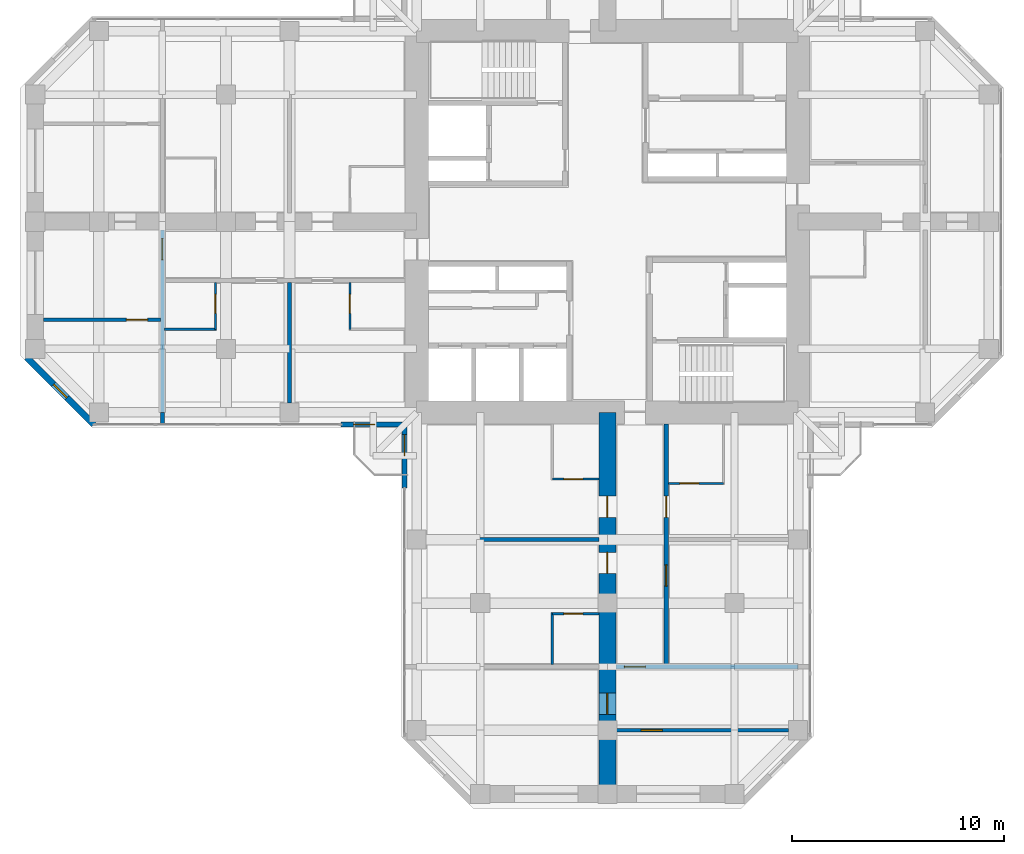
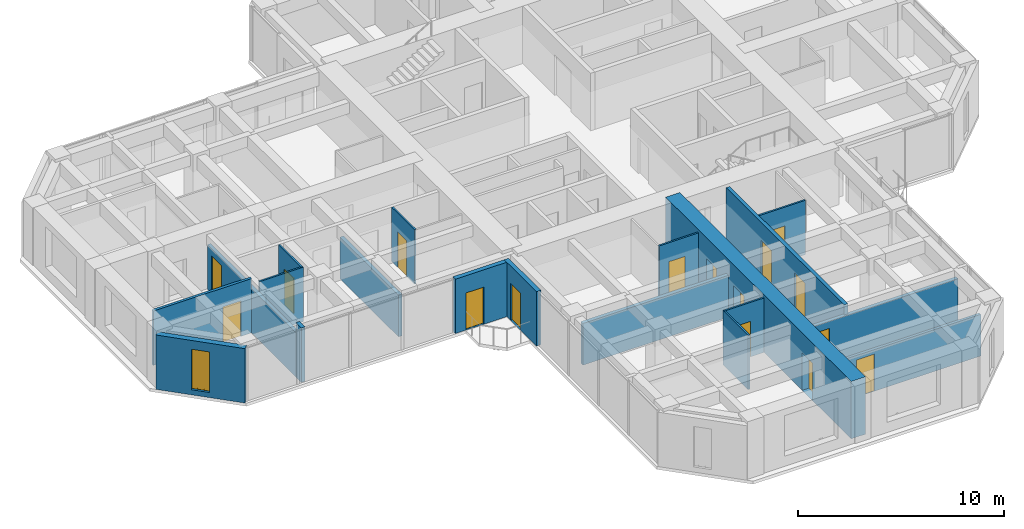
# One storey, part 8 of 13: 19 walls, 16 doors, 1 window, 17 openings.
"""IFC4 building model written with IfcOpenShell, lengths in metres."""

from ifc_helpers import new_model, si_unit, direction, frame, frame_2d, origin, place, context, subcontext, project, spatial, rectangle, hollow_rectangle, extrude, material, layer, layer_set, constituent, constituent_set, type_object, element, fill, save


model = new_model("IFC4")

# Units and contexts
model_context = context("Model", 3, precision=1e-05, world=origin(), true_north=direction((0.0, 1.0)))
body_context = subcontext(model_context, "Body", "Model", "MODEL_VIEW")
ifc_project = project(units=[si_unit("LENGTHUNIT", "METRE"), si_unit("AREAUNIT", "SQUARE_METRE"), si_unit("VOLUMEUNIT", "CUBIC_METRE"), si_unit("PLANEANGLEUNIT", "RADIAN"), si_unit("MASSUNIT", "GRAM", prefix="KILO")], contexts=[model_context])

# Site, building, storey
site_placement = place(None, origin())
site = spatial("IfcSite", under=ifc_project, at=site_placement, CompositionType="ELEMENT")
building_placement = place(site_placement, origin())
building = spatial("IfcBuilding", under=site, at=building_placement, Name="Torre Cruceta", CompositionType="ELEMENT")
storey_placement = place(building_placement, frame((0.0, 0.0, 193.300048828125)))
storey = spatial("IfcBuildingStorey", under=building, at=storey_placement, Name="L48", CompositionType="ELEMENT", Elevation=193.300048828125)

# Wall, opening, door
ifc_material_1 = material(Name="Water-resistant plasterboard on steel studs", Category="steel")
ifc_layer_1 = layer(ifc_material_1, 0.10009765625)
ifc_layer_set_1 = layer_set([ifc_layer_1], Name="Water-resistant plasterboard on steel studs")
wall_type_1 = type_object("IfcWallType", Name="BATHROOM WALL 100", PredefinedType="PARTITIONING", material=ifc_layer_set_1)
wall_1_placement = place(storey_placement, frame((2.875, -12.35009765625, 0.0), z_axis=(0.0, 0.0, 1.0), x_axis=(1.0, 0.0, 0.0)))
wall_1 = element("IfcWall", 1, at=wall_1_placement, inside=storey, type_object=wall_type_1, Name="PT4 L48-S-U1LBS", PredefinedType="PARTITIONING", context=body_context, shape_type="SweptSolid", body=[
    extrude(rectangle(XDim=2.60009765625, YDim=0.10009765625, at=frame_2d((1.300048828125, 0.0))), origin(), (0.0, 0.0, 1.0), 3.219970703125),
])
opening_1_placement = place(wall_1_placement, frame((0.550048828125, 0.0, 0.0)))
opening_1 = element("IfcOpeningElement", 2, at=opening_1_placement, cuts=wall_1, Name="Opening D7", PredefinedType="OPENING", context=body_context, shape_type="SweptSolid", body=[
    extrude(rectangle(XDim=0.89990234375, YDim=2.10009765625, at=frame_2d((0.449951171875, 1.050048828125))), frame((0.0, 0.06005859375, 0.0), z_axis=(0.0, -1.0, 0.0), x_axis=(1.0, 0.0, 0.0)), (0.0, 0.0, 1.0), 0.1201171875),
])
ifc_material_2 = material(Name="Timber door", Category="wood")
door_type_1 = type_object("IfcDoorType", Name="BATHROOM DOOR 900X2100", OperationType="SINGLE_SWING_LEFT", PredefinedType="DOOR", material=ifc_material_2)
door_1_placement = place(opening_1_placement, origin())
door_1 = element("IfcDoor", 3, at=door_1_placement, inside=storey, type_object=door_type_1, Name="D7 L48-S-U1LBS-D1", OperationType="SINGLE_SWING_LEFT", OverallHeight=2.10009765625, OverallWidth=0.89990234375, PredefinedType="DOOR", context=body_context, shape_type="SweptSolid", body=[
    extrude(rectangle(XDim=0.89990234375, YDim=2.10009765625, at=frame_2d((0.449951171875, 1.050048828125))), frame((0.0, 0.02490234375, 0.0), z_axis=(0.0, -1.0, 0.0), x_axis=(1.0, 0.0, 0.0)), (0.0, 0.0, 1.0), 0.050048828125),
])
fill(opening_1, door_1)

wall_2_placement = place(storey_placement, frame((-2.60009765625, -12.14990234375, 0.0), z_axis=(0.0, 0.0, 1.0), x_axis=(1.0, 0.0, 0.0)))
wall_2 = element("IfcWall", 4, at=wall_2_placement, inside=storey, type_object=wall_type_1, Name="PT4 L48-S-U1RBS", PredefinedType="PARTITIONING", context=body_context, shape_type="SweptSolid", body=[
    extrude(rectangle(XDim=2.2001953125, YDim=0.10009765625, at=frame_2d((1.10009765625, 0.0))), origin(), (0.0, 0.0, 1.0), 3.219970703125),
])
opening_2_placement = place(wall_2_placement, frame((0.550048828125, 0.0, 0.0)))
opening_2 = element("IfcOpeningElement", 5, at=opening_2_placement, cuts=wall_2, Name="Opening D7", PredefinedType="OPENING", context=body_context, shape_type="SweptSolid", body=[
    extrude(rectangle(XDim=0.89990234375, YDim=2.10009765625, at=frame_2d((0.449951171875, 1.050048828125))), frame((0.0, 0.06005859375, 0.0), z_axis=(0.0, -1.0, 0.0), x_axis=(1.0, 0.0, 0.0)), (0.0, 0.0, 1.0), 0.1201171875),
])
door_2_placement = place(opening_2_placement, origin())
door_2 = element("IfcDoor", 6, at=door_2_placement, inside=storey, type_object=door_type_1, Name="D7 L48-S-U1RBS-D1", OperationType="SINGLE_SWING_LEFT", OverallHeight=2.10009765625, OverallWidth=0.89990234375, PredefinedType="DOOR", context=body_context, shape_type="SweptSolid", body=[
    extrude(rectangle(XDim=0.89990234375, YDim=2.10009765625, at=frame_2d((0.449951171875, 1.050048828125))), frame((0.0, 0.02490234375, 0.0), z_axis=(0.0, -1.0, 0.0), x_axis=(1.0, 0.0, 0.0)), (0.0, 0.0, 1.0), 0.050048828125),
])
fill(opening_2, door_2)

# Wall
wall_3_placement = place(storey_placement, frame((-2.60009765625, -18.449951171875, 0.0), z_axis=(0.0, 0.0, 1.0), x_axis=(0.0, -1.0, 0.0)))
element("IfcWall", 7, at=wall_3_placement, inside=storey, type_object=wall_type_1, Name="PT4 L48-S-U2RBB", PredefinedType="PARTITIONING", context=body_context, shape_type="SweptSolid", body=[
    extrude(rectangle(XDim=2.449951171875, YDim=0.10009765625, at=frame_2d((1.22509765625, 0.0))), origin(), (0.0, 0.0, 1.0), 3.219970703125),
])

# Wall, opening, door
wall_4_placement = place(storey_placement, frame((-2.60009765625, -18.5, 0.0), z_axis=(0.0, 0.0, 1.0), x_axis=(1.0, 0.0, 0.0)))
wall_4 = element("IfcWall", 8, at=wall_4_placement, inside=storey, type_object=wall_type_1, Name="PT4 L48-S-U2RBS", PredefinedType="PARTITIONING", context=body_context, shape_type="SweptSolid", body=[
    extrude(rectangle(XDim=2.2001953125, YDim=0.10009765625, at=frame_2d((1.10009765625, 0.0))), origin(), (0.0, 0.0, 1.0), 3.219970703125),
])
opening_3_placement = place(wall_4_placement, frame((0.550048828125, 0.0, 0.0)))
opening_3 = element("IfcOpeningElement", 9, at=opening_3_placement, cuts=wall_4, Name="Opening D7", PredefinedType="OPENING", context=body_context, shape_type="SweptSolid", body=[
    extrude(rectangle(XDim=0.89990234375, YDim=2.10009765625, at=frame_2d((0.449951171875, 1.050048828125))), frame((0.0, 0.06005859375, 0.0), z_axis=(0.0, -1.0, 0.0), x_axis=(1.0, 0.0, 0.0)), (0.0, 0.0, 1.0), 0.1201171875),
])
door_3_placement = place(opening_3_placement, frame((0.89990234375, 0.0, 0.0), z_axis=(0.0, 0.0, 1.0), x_axis=(-1.0, 0.0, 0.0)))
door_3 = element("IfcDoor", 10, at=door_3_placement, inside=storey, type_object=door_type_1, Name="D7 L48-S-U2RBS-D1", OperationType="SINGLE_SWING_RIGHT", OverallHeight=2.10009765625, OverallWidth=0.89990234375, PredefinedType="DOOR", context=body_context, shape_type="SweptSolid", body=[
    extrude(rectangle(XDim=0.89990234375, YDim=2.10009765625, at=frame_2d((0.449951171875, 1.050048828125))), frame((0.0, 0.025146484375, 0.0), z_axis=(0.0, -1.0, 0.0), x_axis=(1.0, 0.0, 0.0)), (0.0, 0.0, 1.0), 0.050048828125),
])
fill(opening_3, door_3)

wall_5_placement = place(storey_placement, frame((-12.14990234375, -2.875, 0.0), z_axis=(0.0, 0.0, 1.0), x_axis=(0.0, -1.0, 0.0)))
wall_5 = element("IfcWall", 11, at=wall_5_placement, inside=storey, type_object=wall_type_1, Name="PT4 L48-W-U1LBS", PredefinedType="PARTITIONING", context=body_context, shape_type="SweptSolid", body=[
    extrude(rectangle(XDim=2.199951171875, YDim=0.10009765625, at=frame_2d((1.10009765625, 0.0))), origin(), (0.0, 0.0, 1.0), 3.219970703125),
])
opening_4_placement = place(wall_5_placement, frame((0.550048828125, 0.0, 0.0)))
opening_4 = element("IfcOpeningElement", 12, at=opening_4_placement, cuts=wall_5, Name="Opening D7", PredefinedType="OPENING", context=body_context, shape_type="SweptSolid", body=[
    extrude(rectangle(XDim=0.89990234375, YDim=2.10009765625, at=frame_2d((0.449951171875, 1.050048828125))), frame((0.0, 0.06005859375, 0.0), z_axis=(0.0, -1.0, 0.0), x_axis=(1.0, 0.0, 0.0)), (0.0, 0.0, 1.0), 0.1201171875),
])
door_4_placement = place(opening_4_placement, origin())
door_4 = element("IfcDoor", 13, at=door_4_placement, inside=storey, type_object=door_type_1, Name="D7 L48-W-U1LBS-D1", OperationType="SINGLE_SWING_LEFT", OverallHeight=2.10009765625, OverallWidth=0.89990234375, PredefinedType="DOOR", context=body_context, shape_type="SweptSolid", body=[
    extrude(rectangle(XDim=0.89990234375, YDim=2.10009765625, at=frame_2d((0.449951171875, 1.050048828125))), frame((0.0, 0.02490234375, 0.0), z_axis=(0.0, -1.0, 0.0), x_axis=(1.0, 0.0, 0.0)), (0.0, 0.0, 1.0), 0.050048828125),
])
fill(opening_4, door_4)

# Wall
wall_6_placement = place(storey_placement, frame((-18.449951171875, -5.074951171875, 0.0), z_axis=(0.0, 0.0, 1.0), x_axis=(-1.0, 0.0, 0.0)))
element("IfcWall", 14, at=wall_6_placement, inside=storey, type_object=wall_type_1, Name="PT4 L48-W-U2LBB", PredefinedType="PARTITIONING", context=body_context, shape_type="SweptSolid", body=[
    extrude(rectangle(XDim=2.449951171875, YDim=0.10009765625, at=frame_2d((1.22509765625, 0.0))), origin(), (0.0, 0.0, 1.0), 3.219970703125),
])

# Wall, opening, door
wall_7_placement = place(storey_placement, frame((-18.5, -2.875, 0.0), z_axis=(0.0, 0.0, 1.0), x_axis=(0.0, -1.0, 0.0)))
wall_7 = element("IfcWall", 15, at=wall_7_placement, inside=storey, type_object=wall_type_1, Name="PT4 L48-W-U2LBS", PredefinedType="PARTITIONING", context=body_context, shape_type="SweptSolid", body=[
    extrude(rectangle(XDim=2.199951171875, YDim=0.10009765625, at=frame_2d((1.10009765625, 0.0))), origin(), (0.0, 0.0, 1.0), 3.219970703125),
])
opening_5_placement = place(wall_7_placement, frame((0.550048828125, 0.0, 0.0)))
opening_5 = element("IfcOpeningElement", 16, at=opening_5_placement, cuts=wall_7, Name="Opening D7", PredefinedType="OPENING", context=body_context, shape_type="SweptSolid", body=[
    extrude(rectangle(XDim=0.89990234375, YDim=2.10009765625, at=frame_2d((0.449951171875, 1.050048828125))), frame((0.0, 0.06005859375, 0.0), z_axis=(0.0, -1.0, 0.0), x_axis=(1.0, 0.0, 0.0)), (0.0, 0.0, 1.0), 0.1201171875),
])
door_5_placement = place(opening_5_placement, frame((0.89990234375, 0.0, 0.0), z_axis=(0.0, 0.0, 1.0), x_axis=(-1.0, 0.0, 0.0)))
door_5 = element("IfcDoor", 17, at=door_5_placement, inside=storey, type_object=door_type_1, Name="D7 L48-W-U2LBS-D1", OperationType="SINGLE_SWING_RIGHT", OverallHeight=2.10009765625, OverallWidth=0.89990234375, PredefinedType="DOOR", context=body_context, shape_type="SweptSolid", body=[
    extrude(rectangle(XDim=0.89990234375, YDim=2.10009765625, at=frame_2d((0.449951171875, 1.050048828125))), frame((0.0, 0.025146484375, 0.0), z_axis=(0.0, -1.0, 0.0), x_axis=(1.0, 0.0, 0.0)), (0.0, 0.0, 1.0), 0.050048828125),
])
fill(opening_5, door_5)

# Wall, openings, doors
ifc_material_3 = material(Name="Concrete G25 (fck 25 MPa)", Category="concrete")
ifc_layer_2 = layer(ifc_material_3, 0.199951171875)
ifc_layer_set_2 = layer_set([ifc_layer_2], Name="Concrete G25 (fck 25 MPa)")
wall_type_2 = type_object("IfcWallType", Name="CORRIDOR WALL 200", PredefinedType="SOLIDWALL", material=ifc_layer_set_2)
wall_8_placement = place(storey_placement, frame((2.77490234375, -9.550048828125, 0.0), z_axis=(0.0, 0.0, 1.0), x_axis=(0.0, -1.0, 0.0)))
wall_8 = element("IfcWall", 18, at=wall_8_placement, inside=storey, type_object=wall_type_2, Name="PT3 L48-S-CL", PredefinedType="SOLIDWALL", context=body_context, shape_type="SweptSolid", body=[
    extrude(rectangle(XDim=11.449951171875, YDim=0.199951171875, at=frame_2d((5.72509765625, 0.0))), origin(), (0.0, 0.0, 1.0), 3.219970703125),
])
opening_6_placement = place(wall_8_placement, frame((3.39990234375, 0.0, 0.0)))
opening_6 = element("IfcOpeningElement", 19, at=opening_6_placement, cuts=wall_8, Name="Opening D6", PredefinedType="OPENING", context=body_context, shape_type="SweptSolid", body=[
    extrude(rectangle(XDim=1.0, YDim=2.14990234375, at=frame_2d((0.5, 1.074951171875))), frame((0.0, 0.10986328125, 0.0), z_axis=(0.0, -1.0, 0.0), x_axis=(1.0, 0.0, 0.0)), (0.0, 0.0, 1.0), 0.219970703125),
])
opening_7_placement = place(wall_8_placement, frame((6.64990234375, 0.0, 0.0)))
opening_7 = element("IfcOpeningElement", 20, at=opening_7_placement, cuts=wall_8, Name="Opening D14", PredefinedType="OPENING", context=body_context, shape_type="SweptSolid", body=[
    extrude(rectangle(XDim=1.0, YDim=2.199951171875, at=frame_2d((0.5, 1.10009765625))), frame((0.0, 0.10986328125, 0.0), z_axis=(0.0, -1.0, 0.0), x_axis=(1.0, 0.0, 0.0)), (0.0, 0.0, 1.0), 0.219970703125),
])
ifc_material_4 = material(Name="Steel DX51D", Category="steel")
ifc_constituent_1 = constituent(ifc_material_4, Name="Leaf and frame")
ifc_material_5 = material(Name="Polyester powder coating", Category="paint")
ifc_constituent_2 = constituent(ifc_material_5, Name="Finish")
ifc_material_6 = material(Name="Fire-resisting glass", Category="glass")
ifc_constituent_3 = constituent(ifc_material_6, Name="Vision panel")
ifc_constituent_set_1 = constituent_set(constituents=[ifc_constituent_1, ifc_constituent_2, ifc_constituent_3], Name="Steel fire door with vision panel")
door_type_2 = type_object("IfcDoorType", Name="FIRE DOOR VISION PANEL 1000X2200", OperationType="SINGLE_SWING_RIGHT", PredefinedType="DOOR", material=ifc_constituent_set_1)
door_6_placement = place(opening_7_placement, origin())
door_6 = element("IfcDoor", 21, at=door_6_placement, inside=storey, type_object=door_type_2, Name="D14 L48-S-CL-D2", OperationType="SINGLE_SWING_LEFT", OverallHeight=2.199951171875, OverallWidth=1.0, PredefinedType="DOOR", context=body_context, shape_type="SweptSolid", body=[
    extrude(rectangle(XDim=1.0, YDim=2.199951171875, at=frame_2d((0.5, 1.10009765625))), frame((0.0, 0.02490234375, 0.0), z_axis=(0.0, -1.0, 0.0), x_axis=(1.0, 0.0, 0.0)), (0.0, 0.0, 1.0), 0.050048828125),
])
fill(opening_7, door_6)
ifc_material_7 = material(Name="Timber fire door", Category="wood")
door_type_3 = type_object("IfcDoorType", Name="UNIT ENTRANCE DOOR 1000X2150", OperationType="SINGLE_SWING_LEFT", PredefinedType="DOOR", material=ifc_material_7)
door_7_placement = place(opening_6_placement, origin())
door_7 = element("IfcDoor", 22, at=door_7_placement, inside=storey, type_object=door_type_3, Name="D6 L48-S-CL-D1", OperationType="SINGLE_SWING_LEFT", OverallHeight=2.14990234375, OverallWidth=1.0, PredefinedType="DOOR", context=body_context, shape_type="SweptSolid", body=[
    extrude(rectangle(XDim=1.0, YDim=2.14990234375, at=frame_2d((0.5, 1.074951171875))), frame((0.0, 0.02490234375, 0.0), z_axis=(0.0, -1.0, 0.0), x_axis=(1.0, 0.0, 0.0)), (0.0, 0.0, 1.0), 0.050048828125),
])
fill(opening_6, door_7)

# Wall, opening, window
ifc_material_8 = material(Name="Concrete G30 (fck 30 MPa)", Category="concrete")
ifc_layer_3 = layer(ifc_material_8, 0.300048828125)
ifc_layer_set_3 = layer_set([ifc_layer_3], Name="Concrete G30 (fck 30 MPa)")
wall_type_3 = type_object("IfcWallType", Name="EXPOSED CONCRETE FACADE WALL 300", PredefinedType="SOLIDWALL", material=ifc_layer_set_3)
wall_9_placement = place(storey_placement, frame((-27.39990234375, -6.406005859375, 0.0), z_axis=(0.0, 0.0, 1.0), x_axis=(0.707079499254, -0.707134062067, 0.0)))
wall_9 = element("IfcWall", 23, at=wall_9_placement, inside=storey, type_object=wall_type_3, Name="EW1 facade wall L48 W chamfer 13", PredefinedType="SOLIDWALL", context=body_context, shape_type="SweptSolid", body=[
    extrude(rectangle(XDim=4.474609375, YDim=0.300048828125, at=frame_2d((2.2373046875, 0.0))), origin(), (0.0, 0.0, 1.0), 3.219970703125),
])
opening_8_placement = place(wall_9_placement, frame((1.787109375, 0.0, 0.300048828125)))
opening_8 = element("IfcOpeningElement", 24, at=opening_8_placement, cuts=wall_9, Name="Opening WN5", PredefinedType="OPENING", context=body_context, shape_type="SweptSolid", body=[
    extrude(rectangle(XDim=0.89990234375, YDim=2.39990234375, at=frame_2d((0.449951171875, 1.199951171875))), frame((0.0, 0.159912109375, 0.0), z_axis=(0.0, -1.0, 0.0), x_axis=(1.0, 0.0, 0.0)), (0.0, 0.0, 1.0), 0.320068359375),
])
ifc_material_9 = material(Name="Aluminium window frame", Category="aluminium")
ifc_constituent_4 = constituent(ifc_material_9, Name="Frame")
ifc_material_10 = material(Name="Laminated insulating glass unit, low-iron clear", Category="glass")
ifc_constituent_5 = constituent(ifc_material_10, Name="Glazing")
ifc_constituent_set_2 = constituent_set(constituents=[ifc_constituent_4, ifc_constituent_5], Name="Aluminium window")
window_type = type_object("IfcWindowType", Name="CHAMFER SLOT WINDOW 900X2400", PartitioningType="SINGLE_PANEL", PredefinedType="WINDOW", material=ifc_constituent_set_2)
window_placement = place(opening_8_placement, origin())
window = element("IfcWindow", 25, at=window_placement, inside=storey, type_object=window_type, Name="WN5 L48 W 1", OverallHeight=2.39990234375, OverallWidth=0.89990234375, PartitioningType="SINGLE_PANEL", PredefinedType="WINDOW", context=body_context, shape_type="SweptSolid", body=[
    extrude(hollow_rectangle(XDim=0.89990234375, YDim=2.39990234375, WallThickness=0.06005859375, at=frame_2d((0.449951171875, 1.199951171875))), frame((0.0, 0.030029296875, 0.0), z_axis=(0.0, -1.0, 0.0), x_axis=(1.0, 0.0, 0.0)), (0.0, 0.0, 1.0), 0.06005859375),
    extrude(rectangle(XDim=0.77880859375, YDim=2.27880859375, at=frame_2d((0.449951171875, 1.199951171875))), frame((0.0, 0.030029296875, 0.0), z_axis=(0.0, -1.0, 0.0), x_axis=(1.0, 0.0, 0.0)), (0.0, 0.0, 1.0), 0.06005859375),
])
fill(opening_8, window)

# Wall, opening, door
ifc_material_11 = material(Name="Plasterboard on steel studs", Category="steel")
ifc_layer_4 = layer(ifc_material_11, 0.14990234375)
ifc_layer_set_4 = layer_set([ifc_layer_4], Name="Plasterboard on steel studs")
wall_type_4 = type_object("IfcWallType", Name="PARTITION 150", PredefinedType="PARTITIONING", material=ifc_layer_set_4)
wall_10_placement = place(storey_placement, frame((0.39990234375, -24.0, 0.0), z_axis=(0.0, 0.0, 1.0), x_axis=(1.0, 0.0, 0.0)))
wall_10 = element("IfcWall", 26, at=wall_10_placement, inside=storey, type_object=wall_type_4, Name="PT1 L48-S-ENDX", PredefinedType="PARTITIONING", context=body_context, shape_type="SweptSolid", body=[
    extrude(rectangle(XDim=8.150146484375, YDim=0.14990234375, at=frame_2d((4.0751953125, 0.0))), origin(), (0.0, 0.0, 1.0), 2.469970703125),
])
opening_9_placement = place(wall_10_placement, frame((1.199951171875, 0.0, 0.0)))
opening_9 = element("IfcOpeningElement", 27, at=opening_9_placement, cuts=wall_10, Name="Opening D14", PredefinedType="OPENING", context=body_context, shape_type="SweptSolid", body=[
    extrude(rectangle(XDim=1.0, YDim=2.199951171875, at=frame_2d((0.5, 1.10009765625))), frame((0.0, 0.0849609375, 0.0), z_axis=(0.0, -1.0, 0.0), x_axis=(1.0, 0.0, 0.0)), (0.0, 0.0, 1.0), 0.169921875),
])
door_8_placement = place(opening_9_placement, frame((1.0, 0.0, 0.0), z_axis=(0.0, 0.0, 1.0), x_axis=(-1.0, 0.0, 0.0)))
door_8 = element("IfcDoor", 28, at=door_8_placement, inside=storey, type_object=door_type_2, Name="D14 L48-S-ENDX-D1", OperationType="SINGLE_SWING_RIGHT", OverallHeight=2.199951171875, OverallWidth=1.0, PredefinedType="DOOR", context=body_context, shape_type="SweptSolid", body=[
    extrude(rectangle(XDim=1.0, YDim=2.199951171875, at=frame_2d((0.5, 1.10009765625))), frame((0.0, 0.025146484375, 0.0), z_axis=(0.0, -1.0, 0.0), x_axis=(1.0, 0.0, 0.0)), (0.0, 0.0, 1.0), 0.050048828125),
])
fill(opening_9, door_8)

wall_11_placement = place(storey_placement, frame((-21.10009765625, -4.625, 0.0), z_axis=(0.0, 0.0, 1.0), x_axis=(-1.0, 0.0, 0.0)))
wall_11 = element("IfcWall", 29, at=wall_11_placement, inside=storey, type_object=wall_type_4, Name="PT1 L48-W-ENDX", PredefinedType="PARTITIONING", context=body_context, shape_type="SweptSolid", body=[
    extrude(rectangle(XDim=5.5, YDim=0.14990234375, at=frame_2d((2.75, 0.0))), origin(), (0.0, 0.0, 1.0), 3.219970703125),
])
opening_10_placement = place(wall_11_placement, frame((0.60009765625, 0.0, 0.0)))
opening_10 = element("IfcOpeningElement", 30, at=opening_10_placement, cuts=wall_11, Name="Opening D3", PredefinedType="OPENING", context=body_context, shape_type="SweptSolid", body=[
    extrude(rectangle(XDim=1.0, YDim=2.10009765625, at=frame_2d((0.5, 1.050048828125))), frame((0.0, 0.0849609375, 0.0), z_axis=(0.0, -1.0, 0.0), x_axis=(1.0, 0.0, 0.0)), (0.0, 0.0, 1.0), 0.169921875),
])
ifc_material_12 = material(Name="Steel DX51D", Category="steel")
ifc_constituent_6 = constituent(ifc_material_12, Name="Leaf and frame")
ifc_material_13 = material(Name="Polyester powder coating", Category="paint")
ifc_constituent_7 = constituent(ifc_material_13, Name="Finish")
ifc_constituent_set_3 = constituent_set(constituents=[ifc_constituent_6, ifc_constituent_7], Name="Steel fire door")
door_type_4 = type_object("IfcDoorType", Name="FIRE DOOR 1000X2100", OperationType="SINGLE_SWING_LEFT", PredefinedType="DOOR", material=ifc_constituent_set_3)
door_9_placement = place(opening_10_placement, origin())
door_9 = element("IfcDoor", 31, at=door_9_placement, inside=storey, type_object=door_type_4, Name="D3 L48-W-ENDX-D1", OperationType="SINGLE_SWING_LEFT", OverallHeight=2.10009765625, OverallWidth=1.0, PredefinedType="DOOR", context=body_context, shape_type="SweptSolid", body=[
    extrude(rectangle(XDim=1.0, YDim=2.10009765625, at=frame_2d((0.5, 1.050048828125))), frame((0.0, 0.02490234375, 0.0), z_axis=(0.0, -1.0, 0.0), x_axis=(1.0, 0.0, 0.0)), (0.0, 0.0, 1.0), 0.050048828125),
])
fill(opening_10, door_9)

# Wall, openings, doors
ifc_material_14 = material(Name="Concrete G60 (fck 60 MPa)", Category="concrete")
ifc_layer_5 = layer(ifc_material_14, 0.800048828125)
ifc_layer_set_5 = layer_set([ifc_layer_5], Name="Concrete G60 (fck 60 MPa)")
wall_type_5 = type_object("IfcWallType", Name="SPINE WALL 800 G60", PredefinedType="SHEAR", material=ifc_layer_set_5)
wall_12_placement = place(storey_placement, frame((0.0, -9.0, 0.0), z_axis=(0.0, 0.0, 1.0), x_axis=(0.0, -1.0, 0.0)))
wall_12 = element("IfcWall", 32, at=wall_12_placement, inside=storey, type_object=wall_type_5, Name="SW4 spine wall L48 S", PredefinedType="SHEAR", context=body_context, shape_type="SweptSolid", body=[
    extrude(rectangle(XDim=18.0, YDim=0.800048828125, at=frame_2d((9.0, 0.0))), origin(), (0.0, 0.0, 1.0), 3.39990234375),
])
opening_11_placement = place(wall_12_placement, frame((3.949951171875, 0.0, 0.0)))
opening_11 = element("IfcOpeningElement", 33, at=opening_11_placement, cuts=wall_12, Name="Opening D6", PredefinedType="OPENING", context=body_context, shape_type="SweptSolid", body=[
    extrude(rectangle(XDim=1.0, YDim=2.14990234375, at=frame_2d((0.5, 1.074951171875))), frame((0.0, 0.409912109375, 0.0), z_axis=(0.0, -1.0, 0.0), x_axis=(1.0, 0.0, 0.0)), (0.0, 0.0, 1.0), 0.820068359375),
])
opening_12_placement = place(wall_12_placement, frame((6.60009765625, 0.0, 0.0)))
opening_12 = element("IfcOpeningElement", 34, at=opening_12_placement, cuts=wall_12, Name="Opening D6", PredefinedType="OPENING", context=body_context, shape_type="SweptSolid", body=[
    extrude(rectangle(XDim=1.0, YDim=2.14990234375, at=frame_2d((0.5, 1.074951171875))), frame((0.0, 0.409912109375, 0.0), z_axis=(0.0, -1.0, 0.0), x_axis=(1.0, 0.0, 0.0)), (0.0, 0.0, 1.0), 0.820068359375),
])
opening_13_placement = place(wall_12_placement, frame((13.25, 0.0, 0.0)))
opening_13 = element("IfcOpeningElement", 35, at=opening_13_placement, cuts=wall_12, Name="Opening D14", PredefinedType="OPENING", context=body_context, shape_type="SweptSolid", body=[
    extrude(rectangle(XDim=1.0, YDim=2.199951171875, at=frame_2d((0.5, 1.10009765625))), frame((0.0, 0.409912109375, 0.0), z_axis=(0.0, -1.0, 0.0), x_axis=(1.0, 0.0, 0.0)), (0.0, 0.0, 1.0), 0.820068359375),
])
door_10_placement = place(opening_13_placement, origin())
door_10 = element("IfcDoor", 36, at=door_10_placement, inside=storey, type_object=door_type_2, Name="D14 L48-S-SP3", OperationType="SINGLE_SWING_RIGHT", OverallHeight=2.199951171875, OverallWidth=1.0, PredefinedType="DOOR", context=body_context, shape_type="SweptSolid", body=[
    extrude(rectangle(XDim=1.0, YDim=2.199951171875, at=frame_2d((0.5, 1.10009765625))), frame((0.0, 0.02490234375, 0.0), z_axis=(0.0, -1.0, 0.0), x_axis=(1.0, 0.0, 0.0)), (0.0, 0.0, 1.0), 0.050048828125),
])
fill(opening_13, door_10)
door_11_placement = place(opening_11_placement, frame((1.0, 0.0, 0.0), z_axis=(0.0, 0.0, 1.0), x_axis=(-1.0, 0.0, 0.0)))
door_11 = element("IfcDoor", 37, at=door_11_placement, inside=storey, type_object=door_type_3, Name="D6 L48-S-SP1", OperationType="SINGLE_SWING_RIGHT", OverallHeight=2.14990234375, OverallWidth=1.0, PredefinedType="DOOR", context=body_context, shape_type="SweptSolid", body=[
    extrude(rectangle(XDim=1.0, YDim=2.14990234375, at=frame_2d((0.5, 1.074951171875))), frame((0.0, 0.025146484375, 0.0), z_axis=(0.0, -1.0, 0.0), x_axis=(1.0, 0.0, 0.0)), (0.0, 0.0, 1.0), 0.050048828125),
])
fill(opening_11, door_11)
door_12_placement = place(opening_12_placement, frame((1.0, 0.0, 0.0), z_axis=(0.0, 0.0, 1.0), x_axis=(-1.0, 0.0, 0.0)))
door_12 = element("IfcDoor", 38, at=door_12_placement, inside=storey, type_object=door_type_3, Name="D6 L48-S-SP2", OperationType="SINGLE_SWING_RIGHT", OverallHeight=2.14990234375, OverallWidth=1.0, PredefinedType="DOOR", context=body_context, shape_type="SweptSolid", body=[
    extrude(rectangle(XDim=1.0, YDim=2.14990234375, at=frame_2d((0.5, 1.074951171875))), frame((0.0, 0.025146484375, 0.0), z_axis=(0.0, -1.0, 0.0), x_axis=(1.0, 0.0, 0.0)), (0.0, 0.0, 1.0), 0.050048828125),
])
fill(opening_12, door_12)

# Wall
ifc_material_15 = material(Name="Concrete G25 (fck 25 MPa)", Category="concrete")
ifc_layer_6 = layer(ifc_material_15, 0.199951171875)
ifc_layer_set_6 = layer_set([ifc_layer_6], Name="Concrete G25 (fck 25 MPa)")
wall_type_6 = type_object("IfcWallType", Name="UNIT SEPARATING WALL 200", PredefinedType="SOLIDWALL", material=ifc_layer_set_6)
wall_13_placement = place(storey_placement, frame((-8.550048828125, -15.0, 0.0), z_axis=(0.0, 0.0, 1.0), x_axis=(1.0, 0.0, 0.0)))
element("IfcWall", 39, at=wall_13_placement, inside=storey, type_object=wall_type_6, Name="PT2 L48-S-P1R", PredefinedType="SOLIDWALL", context=body_context, shape_type="SweptSolid", body=[
    extrude(rectangle(XDim=8.150146484375, YDim=0.199951171875, at=frame_2d((4.0751953125, 0.0))), origin(), (0.0, 0.0, 1.0), 2.469970703125),
])

# Wall, opening, door
wall_14_placement = place(storey_placement, frame((0.39990234375, -21.0, 0.0), z_axis=(0.0, 0.0, 1.0), x_axis=(1.0, 0.0, 0.0)))
wall_14 = element("IfcWall", 40, at=wall_14_placement, inside=storey, type_object=wall_type_6, Name="PT2 L48-S-ENDb", PredefinedType="SOLIDWALL", context=body_context, shape_type="SweptSolid", body=[
    extrude(rectangle(XDim=8.60009765625, YDim=0.199951171875, at=frame_2d((4.300048828125, 0.0))), origin(), (0.0, 0.0, 1.0), 2.619873046875),
])
opening_14_placement = place(wall_14_placement, frame((0.39990234375, 0.0, 0.0)))
opening_14 = element("IfcOpeningElement", 41, at=opening_14_placement, cuts=wall_14, Name="Opening D14", PredefinedType="OPENING", context=body_context, shape_type="SweptSolid", body=[
    extrude(rectangle(XDim=1.0, YDim=2.199951171875, at=frame_2d((0.5, 1.10009765625))), frame((0.0, 0.10986328125, 0.0), z_axis=(0.0, -1.0, 0.0), x_axis=(1.0, 0.0, 0.0)), (0.0, 0.0, 1.0), 0.219970703125),
])
door_13_placement = place(opening_14_placement, frame((1.0, 0.0, 0.0), z_axis=(0.0, 0.0, 1.0), x_axis=(-1.0, 0.0, 0.0)))
door_13 = element("IfcDoor", 42, at=door_13_placement, inside=storey, type_object=door_type_2, Name="D14 L48-S-ENDb-D1", OperationType="SINGLE_SWING_RIGHT", OverallHeight=2.199951171875, OverallWidth=1.0, PredefinedType="DOOR", context=body_context, shape_type="SweptSolid", body=[
    extrude(rectangle(XDim=1.0, YDim=2.199951171875, at=frame_2d((0.5, 1.10009765625))), frame((0.0, 0.025146484375, 0.0), z_axis=(0.0, -1.0, 0.0), x_axis=(1.0, 0.0, 0.0)), (0.0, 0.0, 1.0), 0.050048828125),
])
fill(opening_14, door_13)

# Wall
wall_15_placement = place(storey_placement, frame((-15.0, -2.875, 0.0), z_axis=(0.0, 0.0, 1.0), x_axis=(0.0, -1.0, 0.0)))
element("IfcWall", 43, at=wall_15_placement, inside=storey, type_object=wall_type_6, Name="PT2 L48-W-P1L", PredefinedType="SOLIDWALL", context=body_context, shape_type="SweptSolid", body=[
    extrude(rectangle(XDim=5.675048828125, YDim=0.199951171875, at=frame_2d((2.83740234375, 0.0))), origin(), (0.0, 0.0, 1.0), 2.469970703125),
])

# Wall, opening, door
wall_16_placement = place(storey_placement, frame((-21.0, -0.39990234375, 0.0), z_axis=(0.0, 0.0, 1.0), x_axis=(0.0, -1.0, 0.0)))
wall_16 = element("IfcWall", 44, at=wall_16_placement, inside=storey, type_object=wall_type_6, Name="PT2 L48-W-ENDb", PredefinedType="SOLIDWALL", context=body_context, shape_type="SweptSolid", body=[
    extrude(rectangle(XDim=8.60009765625, YDim=0.199951171875, at=frame_2d((4.300048828125, 0.0))), origin(), (0.0, 0.0, 1.0), 2.619873046875),
])
opening_15_placement = place(wall_16_placement, frame((0.39990234375, 0.0, 0.0)))
opening_15 = element("IfcOpeningElement", 45, at=opening_15_placement, cuts=wall_16, Name="Opening D14", PredefinedType="OPENING", context=body_context, shape_type="SweptSolid", body=[
    extrude(rectangle(XDim=1.0, YDim=2.199951171875, at=frame_2d((0.5, 1.10009765625))), frame((0.0, 0.10986328125, 0.0), z_axis=(0.0, -1.0, 0.0), x_axis=(1.0, 0.0, 0.0)), (0.0, 0.0, 1.0), 0.219970703125),
])
door_14_placement = place(opening_15_placement, frame((1.0, 0.0, 0.0), z_axis=(0.0, 0.0, 1.0), x_axis=(-1.0, 0.0, 0.0)))
door_14 = element("IfcDoor", 46, at=door_14_placement, inside=storey, type_object=door_type_2, Name="D14 L48-W-ENDb-D1", OperationType="SINGLE_SWING_RIGHT", OverallHeight=2.199951171875, OverallWidth=1.0, PredefinedType="DOOR", context=body_context, shape_type="SweptSolid", body=[
    extrude(rectangle(XDim=1.0, YDim=2.199951171875, at=frame_2d((0.5, 1.10009765625))), frame((0.0, 0.025146484375, 0.0), z_axis=(0.0, -1.0, 0.0), x_axis=(1.0, 0.0, 0.0)), (0.0, 0.0, 1.0), 0.050048828125),
])
fill(opening_15, door_14)

# Wall
wall_17_placement = place(storey_placement, frame((-21.0, -9.0, 0.0), z_axis=(0.0, 0.0, 1.0), x_axis=(0.0, -1.0, 0.0)))
element("IfcWall", 47, at=wall_17_placement, inside=storey, type_object=wall_type_6, Name="PT2 L48-W-ENDb 2", PredefinedType="SOLIDWALL", context=body_context, shape_type="SweptSolid", body=[
    extrude(rectangle(XDim=0.530029296875, YDim=0.199951171875, at=frame_2d((0.26513671875, 0.0))), origin(), (0.0, 0.0, 1.0), 3.219970703125),
])

# Wall, opening, door
ifc_material_16 = material(Name="Concrete G30 (fck 30 MPa)", Category="concrete")
ifc_layer_7 = layer(ifc_material_16, 0.25)
ifc_layer_set_7 = layer_set([ifc_layer_7], Name="Concrete G30 (fck 30 MPa)")
wall_type_7 = type_object("IfcWallType", Name="WINTER GARDEN WALL 250", PredefinedType="SOLIDWALL", material=ifc_layer_set_7)
wall_18_placement = place(storey_placement, frame((-12.570068359375, -9.570068359375, 0.0), z_axis=(0.0, 0.0, 1.0), x_axis=(1.0, 0.0, 0.0)))
wall_18 = element("IfcWall", 48, at=wall_18_placement, inside=storey, type_object=wall_type_7, Name="EW2 winter garden wall L48 14", PredefinedType="SOLIDWALL", context=body_context, shape_type="SweptSolid", body=[
    extrude(rectangle(XDim=2.875, YDim=0.25, at=frame_2d((1.4375, 0.0))), origin(), (0.0, 0.0, 1.0), 3.219970703125),
])
opening_16_placement = place(wall_18_placement, frame((0.60009765625, 0.0, 0.0)))
opening_16 = element("IfcOpeningElement", 49, at=opening_16_placement, cuts=wall_18, Name="Opening D10", PredefinedType="OPENING", context=body_context, shape_type="SweptSolid", body=[
    extrude(rectangle(XDim=1.0, YDim=2.199951171875, at=frame_2d((0.5, 1.10009765625))), frame((0.0, 0.135009765625, 0.0), z_axis=(0.0, -1.0, 0.0), x_axis=(1.0, 0.0, 0.0)), (0.0, 0.0, 1.0), 0.27001953125),
])
ifc_material_17 = material(Name="Aluminium door frame", Category="aluminium")
ifc_constituent_8 = constituent(ifc_material_17, Name="Frame")
ifc_material_18 = material(Name="Laminated safety glass", Category="glass")
ifc_constituent_9 = constituent(ifc_material_18, Name="Glazing")
ifc_constituent_set_4 = constituent_set(constituents=[ifc_constituent_8, ifc_constituent_9], Name="Aluminium glazed door")
door_type_5 = type_object("IfcDoorType", Name="BALCONY DOOR 1000X2200", OperationType="SINGLE_SWING_RIGHT", PredefinedType="DOOR", material=ifc_constituent_set_4)
door_15_placement = place(opening_16_placement, origin())
door_15 = element("IfcDoor", 50, at=door_15_placement, inside=storey, type_object=door_type_5, Name="D10 balcony door L48 14", OperationType="SINGLE_SWING_RIGHT", OverallHeight=2.199951171875, OverallWidth=1.0, PredefinedType="DOOR", context=body_context, shape_type="SweptSolid", body=[
    extrude(hollow_rectangle(XDim=1.0, YDim=2.199951171875, WallThickness=0.06005859375, at=frame_2d((0.5, 1.10009765625))), frame((0.0, 0.02490234375, 0.0), z_axis=(0.0, -1.0, 0.0), x_axis=(1.0, 0.0, 0.0)), (0.0, 0.0, 1.0), 0.050048828125),
    extrude(rectangle(XDim=0.87890625, YDim=2.078857421875, at=frame_2d((0.5, 1.10009765625))), frame((0.0, 0.02490234375, 0.0), z_axis=(0.0, -1.0, 0.0), x_axis=(1.0, 0.0, 0.0)), (0.0, 0.0, 1.0), 0.050048828125),
])
fill(opening_16, door_15)

wall_19_placement = place(storey_placement, frame((-9.570068359375, -9.445068359375, 0.0), z_axis=(0.0, 0.0, 1.0), x_axis=(0.0, -1.0, 0.0)))
wall_19 = element("IfcWall", 51, at=wall_19_placement, inside=storey, type_object=wall_type_7, Name="EW2 winter garden wall L48 15", PredefinedType="SOLIDWALL", context=body_context, shape_type="SweptSolid", body=[
    extrude(rectangle(XDim=3.125, YDim=0.25, at=frame_2d((1.5625, 0.0))), origin(), (0.0, 0.0, 1.0), 3.219970703125),
])
opening_17_placement = place(wall_19_placement, frame((0.60009765625, 0.0, 0.0)))
opening_17 = element("IfcOpeningElement", 52, at=opening_17_placement, cuts=wall_19, Name="Opening D10", PredefinedType="OPENING", context=body_context, shape_type="SweptSolid", body=[
    extrude(rectangle(XDim=1.0, YDim=2.199951171875, at=frame_2d((0.5, 1.10009765625))), frame((0.0, 0.135009765625, 0.0), z_axis=(0.0, -1.0, 0.0), x_axis=(1.0, 0.0, 0.0)), (0.0, 0.0, 1.0), 0.27001953125),
])
door_16_placement = place(opening_17_placement, origin())
door_16 = element("IfcDoor", 53, at=door_16_placement, inside=storey, type_object=door_type_5, Name="D10 balcony door L48 15", OperationType="SINGLE_SWING_LEFT", OverallHeight=2.199951171875, OverallWidth=1.0, PredefinedType="DOOR", context=body_context, shape_type="SweptSolid", body=[
    extrude(hollow_rectangle(XDim=1.0, YDim=2.199951171875, WallThickness=0.06005859375, at=frame_2d((0.5, 1.10009765625))), frame((0.0, 0.02490234375, 0.0), z_axis=(0.0, -1.0, 0.0), x_axis=(1.0, 0.0, 0.0)), (0.0, 0.0, 1.0), 0.050048828125),
    extrude(rectangle(XDim=0.87890625, YDim=2.078857421875, at=frame_2d((0.5, 1.10009765625))), frame((0.0, 0.02490234375, 0.0), z_axis=(0.0, -1.0, 0.0), x_axis=(1.0, 0.0, 0.0)), (0.0, 0.0, 1.0), 0.050048828125),
])
fill(opening_17, door_16)

save(model, "model.ifc")
